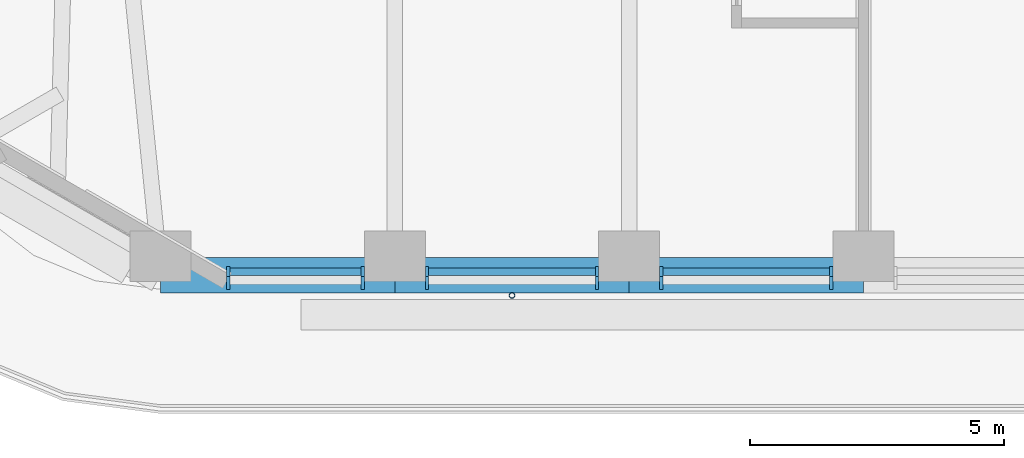
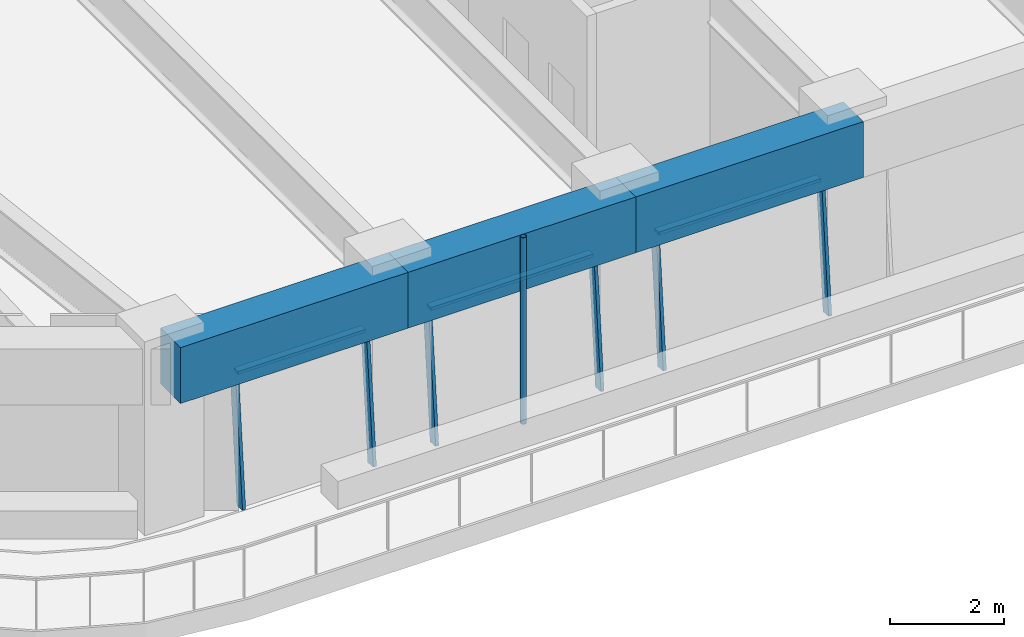
# One storey, part 2 of 20: 10 members, 3 beams, 3 elements without a shape of their own.
"""IFC4 building model written with IfcOpenShell, lengths in metres."""

from ifc_helpers import new_model, si_unit, direction, frame, origin, origin_2d, place, context, subcontext, project, spatial, rectangle, hollow_circle, extrude, material, material_profile, profile_set, type_object, element, aggregate, save


model = new_model("IFC4")

# Units and contexts
model_context = context("Model", 3, precision=1e-05, world=origin(), true_north=direction((0.0, 1.0)))
body_context = subcontext(model_context, "Body", "Model", "MODEL_VIEW")
ifc_project = project(units=[si_unit("LENGTHUNIT", "METRE"), si_unit("AREAUNIT", "SQUARE_METRE"), si_unit("VOLUMEUNIT", "CUBIC_METRE"), si_unit("PLANEANGLEUNIT", "RADIAN"), si_unit("MASSUNIT", "GRAM", prefix="KILO")], contexts=[model_context])

# Site, building, storey
site_placement = place(None, origin())
site = spatial("IfcSite", under=ifc_project, at=site_placement, CompositionType="ELEMENT")
building_placement = place(site_placement, origin())
building = spatial("IfcBuilding", under=site, at=building_placement, Name="Tarfa Lantern Tower", CompositionType="ELEMENT")
storey_placement = place(building_placement, frame((0.0, 0.0, 274.300048828125)))
storey = spatial("IfcBuildingStorey", under=building, at=storey_placement, Name="L62", CompositionType="ELEMENT", Elevation=274.300048828125)

# Curtain wall, members
ifc_material_1 = material(Name="Aluminium framed curtain wall", Category="aluminium")
curtain_wall_type = type_object("IfcCurtainWallType", Name="CW3 CANTED GLAZING HIGH ZONE 2800", PredefinedType="USERDEFINED", material=ifc_material_1)
curtain_wall_1_placement = place(storey_placement, origin())
curtain_wall_1 = element("IfcCurtainWall", 1, at=curtain_wall_1_placement, inside=storey, type_object=curtain_wall_type, Name="CW3 S L62", ObjectType="CURTAIN WALL", PredefinedType="USERDEFINED")
ifc_material_2 = material(Name="Aluminium mullion", Category="aluminium")
ifc_material_profile_1 = material_profile(ifc_material_2, rectangle(XDim=0.06494140625, YDim=0.199951171875, at=origin_2d()), Name="AL MULLION 65x200")
ifc_profile_set_1 = profile_set([ifc_material_profile_1], Name="Aluminium mullion")
member_type_1 = type_object("IfcMemberType", Name="CWM1 MULLION 65x200", PredefinedType="MULLION", material=ifc_profile_set_1)
member_1_placement = place(storey_placement, frame((-12.52392578125, -28.89990234375, 0.0), z_axis=(0.0, 0.088930399417, 0.996037842685), x_axis=(-1.0, 0.0, 0.0)))
member_1 = element("IfcMember", 2, at=member_1_placement, type_object=member_type_1, Name="CW3 mullion 1", PredefinedType="MULLION", context=body_context, shape_type="SweptSolid", body=[
    extrude(rectangle(XDim=0.06494140625, YDim=0.199951171875, at=origin_2d()), origin(), (0.0, 0.0, 1.0), 2.811279296875),
])
member_2_placement = place(storey_placement, frame((-9.8701171875, -28.89990234375, 0.0), z_axis=(0.0, 0.088930399417, 0.996037842685), x_axis=(-1.0, 0.0, 0.0)))
member_2 = element("IfcMember", 3, at=member_2_placement, type_object=member_type_1, Name="CW3 mullion 2", PredefinedType="MULLION", context=body_context, shape_type="SweptSolid", body=[
    extrude(rectangle(XDim=0.06494140625, YDim=0.199951171875, at=origin_2d()), origin(), (0.0, 0.0, 1.0), 2.811279296875),
])

curtain_wall_2_placement = place(storey_placement, origin())
curtain_wall_2 = element("IfcCurtainWall", 4, at=curtain_wall_2_placement, inside=storey, type_object=curtain_wall_type, Name="CW3 S L62", ObjectType="CURTAIN WALL", PredefinedType="USERDEFINED")
member_3_placement = place(storey_placement, frame((-8.605224609375, -28.89990234375, 0.0), z_axis=(0.0, 0.088930399417, 0.996037842685), x_axis=(-1.0, 0.0, 0.0)))
member_3 = element("IfcMember", 5, at=member_3_placement, type_object=member_type_1, Name="CW3 mullion 1", PredefinedType="MULLION", context=body_context, shape_type="SweptSolid", body=[
    extrude(rectangle(XDim=0.06494140625, YDim=0.199951171875, at=origin_2d()), origin(), (0.0, 0.0, 1.0), 2.811279296875),
])
member_4_placement = place(storey_placement, frame((-5.251220703125, -28.89990234375, 0.0), z_axis=(0.0, 0.088930399417, 0.996037842685), x_axis=(-1.0, 0.0, 0.0)))
member_4 = element("IfcMember", 6, at=member_4_placement, type_object=member_type_1, Name="CW3 mullion 2", PredefinedType="MULLION", context=body_context, shape_type="SweptSolid", body=[
    extrude(rectangle(XDim=0.06494140625, YDim=0.199951171875, at=origin_2d()), origin(), (0.0, 0.0, 1.0), 2.811279296875),
])

curtain_wall_3_placement = place(storey_placement, origin())
curtain_wall_3 = element("IfcCurtainWall", 7, at=curtain_wall_3_placement, inside=storey, type_object=curtain_wall_type, Name="CW3 S L62", ObjectType="CURTAIN WALL", PredefinedType="USERDEFINED")
member_5_placement = place(storey_placement, frame((-3.986328125, -28.89990234375, 0.0), z_axis=(0.0, 0.088930399417, 0.996037842685), x_axis=(-1.0, 0.0, 0.0)))
member_5 = element("IfcMember", 8, at=member_5_placement, type_object=member_type_1, Name="CW3 mullion 1", PredefinedType="MULLION", context=body_context, shape_type="SweptSolid", body=[
    extrude(rectangle(XDim=0.06494140625, YDim=0.199951171875, at=origin_2d()), origin(), (0.0, 0.0, 1.0), 2.811279296875),
])
member_6_placement = place(storey_placement, frame((-0.632568359375, -28.89990234375, 0.0), z_axis=(0.0, 0.088930399417, 0.996037842685), x_axis=(-1.0, 0.0, 0.0)))
member_6 = element("IfcMember", 9, at=member_6_placement, type_object=member_type_1, Name="CW3 mullion 2", PredefinedType="MULLION", context=body_context, shape_type="SweptSolid", body=[
    extrude(rectangle(XDim=0.06494140625, YDim=0.199951171875, at=origin_2d()), origin(), (0.0, 0.0, 1.0), 2.811279296875),
])

# Member
ifc_material_3 = material(Name="Aluminium transom", Category="aluminium")
ifc_material_profile_2 = material_profile(ifc_material_3, rectangle(XDim=0.14990234375, YDim=0.06494140625, at=origin_2d()), Name="AL TRANSOM 150x65")
ifc_profile_set_2 = profile_set([ifc_material_profile_2], Name="Aluminium transom")
member_type_2 = type_object("IfcMemberType", Name="CWT1 TRANSOM 150x65", PredefinedType="USERDEFINED", material=ifc_profile_set_2)
member_7_placement = place(storey_placement, frame((-12.491455078125, -28.65283203125, 2.767333984375), z_axis=(1.0, 0.0, 0.0), x_axis=(0.0, 1.0, 0.0)))
member_7 = element("IfcMember", 10, at=member_7_placement, type_object=member_type_2, Name="CW3 transom 1.2", ObjectType="TRANSOM", PredefinedType="USERDEFINED", context=body_context, shape_type="SweptSolid", body=[
    extrude(rectangle(XDim=0.14990234375, YDim=0.06494140625, at=origin_2d()), origin(), (0.0, 0.0, 1.0), 2.5888671875),
])

aggregate(curtain_wall_1, [member_1, member_2, member_7])

member_8_placement = place(storey_placement, frame((-8.572509765625, -28.65283203125, 2.767333984375), z_axis=(1.0, 0.0, 0.0), x_axis=(0.0, 1.0, 0.0)))
member_8 = element("IfcMember", 11, at=member_8_placement, type_object=member_type_2, Name="CW3 transom 1.2", ObjectType="TRANSOM", PredefinedType="USERDEFINED", context=body_context, shape_type="SweptSolid", body=[
    extrude(rectangle(XDim=0.14990234375, YDim=0.06494140625, at=origin_2d()), origin(), (0.0, 0.0, 1.0), 3.288818359375),
])

aggregate(curtain_wall_2, [member_3, member_4, member_8])

member_9_placement = place(storey_placement, frame((-3.953857421875, -28.65283203125, 2.767333984375), z_axis=(1.0, 0.0, 0.0), x_axis=(0.0, 1.0, 0.0)))
member_9 = element("IfcMember", 12, at=member_9_placement, type_object=member_type_2, Name="CW3 transom 1.2", ObjectType="TRANSOM", PredefinedType="USERDEFINED", context=body_context, shape_type="SweptSolid", body=[
    extrude(rectangle(XDim=0.14990234375, YDim=0.06494140625, at=origin_2d()), origin(), (0.0, 0.0, 1.0), 3.288818359375),
])

aggregate(curtain_wall_3, [member_5, member_6, member_9])

# Beams
ifc_material_4 = material(Name="Concrete C80/95", Category="concrete")
ifc_material_profile_3 = material_profile(ifc_material_4, rectangle(XDim=0.699951171875, YDim=1.199951171875, at=origin_2d()), Name="RC 700x1200")
ifc_profile_set_3 = profile_set([ifc_material_profile_3], Name="Concrete C80/95")
beam_type = type_object("IfcBeamType", Name="EB3 RC 700x1200", PredefinedType="SPANDREL", material=ifc_profile_set_3)
beam_1_placement = place(storey_placement, frame((-13.8564453125, -28.719970703125, 3.39990234375), z_axis=(1.0, 0.0, 0.0), x_axis=(0.0, 1.0, 0.0)))
element("IfcBeam", 13, at=beam_1_placement, inside=storey, type_object=beam_type, Name="Edge beam S0", PredefinedType="SPANDREL", context=body_context, shape_type="SweptSolid", body=[
    extrude(rectangle(XDim=0.699951171875, YDim=1.199951171875, at=origin_2d()), origin(), (0.0, 0.0, 1.0), 4.618896484375),
])
beam_2_placement = place(storey_placement, frame((-9.237548828125, -28.719970703125, 3.39990234375), z_axis=(1.0, 0.0, 0.0), x_axis=(0.0, 1.0, 0.0)))
element("IfcBeam", 14, at=beam_2_placement, inside=storey, type_object=beam_type, Name="Edge beam S1", PredefinedType="SPANDREL", context=body_context, shape_type="SweptSolid", body=[
    extrude(rectangle(XDim=0.699951171875, YDim=1.199951171875, at=origin_2d()), origin(), (0.0, 0.0, 1.0), 4.61865234375),
])
beam_3_placement = place(storey_placement, frame((-4.618896484375, -28.719970703125, 3.39990234375), z_axis=(1.0, 0.0, 0.0), x_axis=(0.0, 1.0, 0.0)))
element("IfcBeam", 15, at=beam_3_placement, inside=storey, type_object=beam_type, Name="Edge beam S2", PredefinedType="SPANDREL", context=body_context, shape_type="SweptSolid", body=[
    extrude(rectangle(XDim=0.699951171875, YDim=1.199951171875, at=origin_2d()), origin(), (0.0, 0.0, 1.0), 4.618896484375),
])

# Member
ifc_material_5 = material(Name="Steel S355", Category="steel")
ifc_material_profile_4 = material_profile(ifc_material_5, hollow_circle(Radius=0.05712890625, WallThickness=0.00634765625, at=origin_2d()), Name="CHS114.3x6.3")
ifc_profile_set_4 = profile_set([ifc_material_profile_4], Name="Steel S355")
member_type_3 = type_object("IfcMemberType", Name="TR1 GREEN WALL TRELLIS CHS114.3x6.3", PredefinedType="USERDEFINED", material=ifc_profile_set_4)
member_10_placement = place(storey_placement, frame((-6.92822265625, -29.1201171875, 0.0), z_axis=(0.0, 0.0, 1.0), x_axis=(1.0, 0.0, 0.0)))
element("IfcMember", 16, at=member_10_placement, inside=storey, type_object=member_type_3, Name="Trellis post S 1", ObjectType="TRELLIS", PredefinedType="USERDEFINED", context=body_context, shape_type="SweptSolid", body=[
    extrude(hollow_circle(Radius=0.05712890625, WallThickness=0.00634765625, at=origin_2d()), origin(), (0.0, 0.0, 1.0), 4.0),
])

save(model, "model.ifc")
